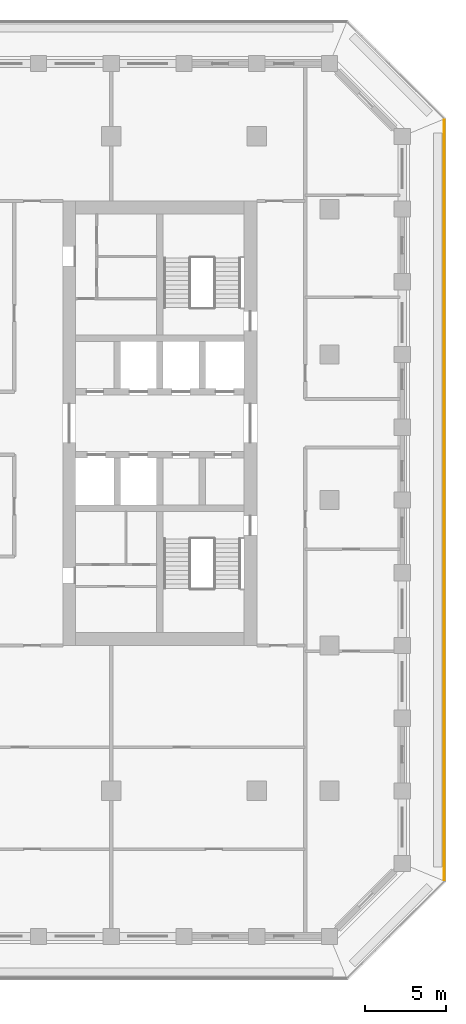
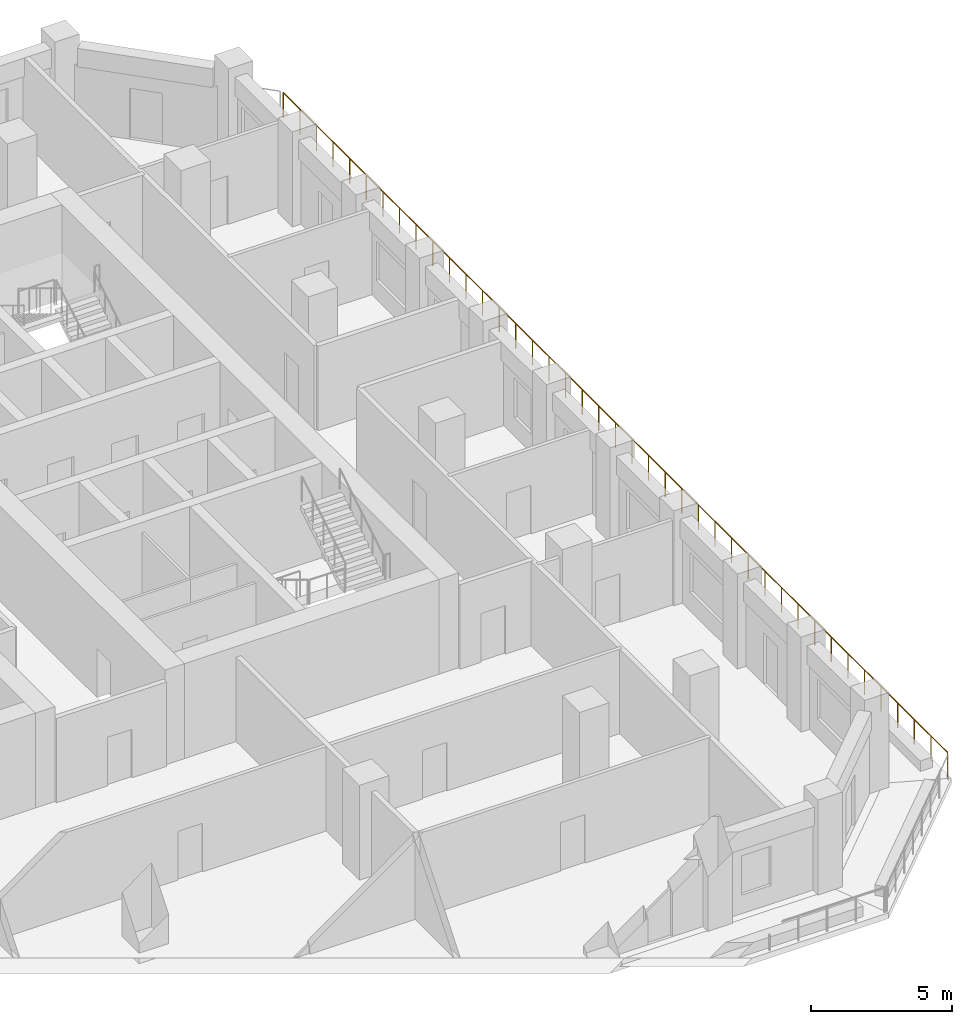
# One storey, part 12 of 16: 1 railing.
"""IFC4 building model written with IfcOpenShell, lengths in metres."""

from ifc_helpers import new_model, si_unit, direction, frame, origin, origin_2d, place, context, subcontext, project, spatial, circle, extrude, material, type_object, element, save


model = new_model("IFC4")

# Units and contexts
model_context = context("Model", 3, precision=1e-05, world=origin(), true_north=direction((0.0, 1.0)))
body_context = subcontext(model_context, "Body", "Model", "MODEL_VIEW")
ifc_project = project(units=[si_unit("LENGTHUNIT", "METRE"), si_unit("AREAUNIT", "SQUARE_METRE"), si_unit("VOLUMEUNIT", "CUBIC_METRE"), si_unit("PLANEANGLEUNIT", "RADIAN"), si_unit("MASSUNIT", "GRAM", prefix="KILO")], contexts=[model_context])

# Site, building, storey
site_placement = place(None, origin())
site = spatial("IfcSite", under=ifc_project, at=site_placement, CompositionType="ELEMENT")
building_placement = place(site_placement, origin())
building = spatial("IfcBuilding", under=site, at=building_placement, Name="Corbel Stack Research Tower", CompositionType="ELEMENT")
storey_placement = place(building_placement, frame((0.0, 0.0, 177.300048828125)))
storey = spatial("IfcBuildingStorey", under=building, at=storey_placement, Name="L40", CompositionType="ELEMENT", Elevation=177.300048828125)

# Railing
ifc_material = material(Name="Powder-coated steel guard", Category="steel")
railing_type = type_object("IfcRailingType", Name="Steel and glass guard 1100", PredefinedType="GUARDRAIL", material=ifc_material)
railing_placement = place(storey_placement, frame((29.60009765625, -23.50537109375, 0.0)))
element("IfcRailing", 1, at=railing_placement, inside=storey, type_object=railing_type, Name="Loggia guard L40 E", PredefinedType="GUARDRAIL", context=body_context, shape_type="SweptSolid", body=[
    extrude(circle(Radius=0.02392578125, at=origin_2d()), frame((0.0, 0.0, 1.076171875), z_axis=(0.0, 1.0, 0.0), x_axis=(-1.0, 0.0, 0.0)), (0.0, 0.0, 1.0), 47.0107421875),
    extrude(circle(Radius=0.02099609375, at=origin_2d()), origin(), (0.0, 0.0, 1.0), 1.052001953125),
    extrude(circle(Radius=0.02099609375, at=origin_2d()), frame((0.0, 1.17529296875, 0.0)), (0.0, 0.0, 1.0), 1.052001953125),
    extrude(circle(Radius=0.02099609375, at=origin_2d()), frame((0.0, 2.3505859375, 0.0)), (0.0, 0.0, 1.0), 1.052001953125),
    extrude(circle(Radius=0.02099609375, at=origin_2d()), frame((0.0, 3.52587890625, 0.0)), (0.0, 0.0, 1.0), 1.052001953125),
    extrude(circle(Radius=0.02099609375, at=origin_2d()), frame((0.0, 4.701171875, 0.0)), (0.0, 0.0, 1.0), 1.052001953125),
    extrude(circle(Radius=0.02099609375, at=origin_2d()), frame((0.0, 5.87646484375, 0.0)), (0.0, 0.0, 1.0), 1.052001953125),
    extrude(circle(Radius=0.02099609375, at=origin_2d()), frame((0.0, 7.051513671875, 0.0)), (0.0, 0.0, 1.0), 1.052001953125),
    extrude(circle(Radius=0.02099609375, at=origin_2d()), frame((0.0, 8.226806640625, 0.0)), (0.0, 0.0, 1.0), 1.052001953125),
    extrude(circle(Radius=0.02099609375, at=origin_2d()), frame((0.0, 9.402099609375, 0.0)), (0.0, 0.0, 1.0), 1.052001953125),
    extrude(circle(Radius=0.02099609375, at=origin_2d()), frame((0.0, 10.577392578125, 0.0)), (0.0, 0.0, 1.0), 1.052001953125),
    extrude(circle(Radius=0.02099609375, at=origin_2d()), frame((0.0, 11.752685546875, 0.0)), (0.0, 0.0, 1.0), 1.052001953125),
    extrude(circle(Radius=0.02099609375, at=origin_2d()), frame((0.0, 12.927978515625, 0.0)), (0.0, 0.0, 1.0), 1.052001953125),
    extrude(circle(Radius=0.02099609375, at=origin_2d()), frame((0.0, 14.103271484375, 0.0)), (0.0, 0.0, 1.0), 1.052001953125),
    extrude(circle(Radius=0.02099609375, at=origin_2d()), frame((0.0, 15.278564453125, 0.0)), (0.0, 0.0, 1.0), 1.052001953125),
    extrude(circle(Radius=0.02099609375, at=origin_2d()), frame((0.0, 16.453857421875, 0.0)), (0.0, 0.0, 1.0), 1.052001953125),
    extrude(circle(Radius=0.02099609375, at=origin_2d()), frame((0.0, 17.62890625, 0.0)), (0.0, 0.0, 1.0), 1.052001953125),
    extrude(circle(Radius=0.02099609375, at=origin_2d()), frame((0.0, 18.80419921875, 0.0)), (0.0, 0.0, 1.0), 1.052001953125),
    extrude(circle(Radius=0.02099609375, at=origin_2d()), frame((0.0, 19.9794921875, 0.0)), (0.0, 0.0, 1.0), 1.052001953125),
    extrude(circle(Radius=0.02099609375, at=origin_2d()), frame((0.0, 21.15478515625, 0.0)), (0.0, 0.0, 1.0), 1.052001953125),
    extrude(circle(Radius=0.02099609375, at=origin_2d()), frame((0.0, 22.330078125, 0.0)), (0.0, 0.0, 1.0), 1.052001953125),
    extrude(circle(Radius=0.02099609375, at=origin_2d()), frame((0.0, 23.50537109375, 0.0)), (0.0, 0.0, 1.0), 1.052001953125),
    extrude(circle(Radius=0.02099609375, at=origin_2d()), frame((0.0, 24.6806640625, 0.0)), (0.0, 0.0, 1.0), 1.052001953125),
    extrude(circle(Radius=0.02099609375, at=origin_2d()), frame((0.0, 25.85595703125, 0.0)), (0.0, 0.0, 1.0), 1.052001953125),
    extrude(circle(Radius=0.02099609375, at=origin_2d()), frame((0.0, 27.03125, 0.0)), (0.0, 0.0, 1.0), 1.052001953125),
    extrude(circle(Radius=0.02099609375, at=origin_2d()), frame((0.0, 28.20654296875, 0.0)), (0.0, 0.0, 1.0), 1.052001953125),
    extrude(circle(Radius=0.02099609375, at=origin_2d()), frame((0.0, 29.3818359375, 0.0)), (0.0, 0.0, 1.0), 1.052001953125),
    extrude(circle(Radius=0.02099609375, at=origin_2d()), frame((0.0, 30.556884765625, 0.0)), (0.0, 0.0, 1.0), 1.052001953125),
    extrude(circle(Radius=0.02099609375, at=origin_2d()), frame((0.0, 31.732177734375, 0.0)), (0.0, 0.0, 1.0), 1.052001953125),
    extrude(circle(Radius=0.02099609375, at=origin_2d()), frame((0.0, 32.907470703125, 0.0)), (0.0, 0.0, 1.0), 1.052001953125),
    extrude(circle(Radius=0.02099609375, at=origin_2d()), frame((0.0, 34.082763671875, 0.0)), (0.0, 0.0, 1.0), 1.052001953125),
    extrude(circle(Radius=0.02099609375, at=origin_2d()), frame((0.0, 35.258056640625, 0.0)), (0.0, 0.0, 1.0), 1.052001953125),
    extrude(circle(Radius=0.02099609375, at=origin_2d()), frame((0.0, 36.433349609375, 0.0)), (0.0, 0.0, 1.0), 1.052001953125),
    extrude(circle(Radius=0.02099609375, at=origin_2d()), frame((0.0, 37.608642578125, 0.0)), (0.0, 0.0, 1.0), 1.052001953125),
    extrude(circle(Radius=0.02099609375, at=origin_2d()), frame((0.0, 38.783935546875, 0.0)), (0.0, 0.0, 1.0), 1.052001953125),
    extrude(circle(Radius=0.02099609375, at=origin_2d()), frame((0.0, 39.959228515625, 0.0)), (0.0, 0.0, 1.0), 1.052001953125),
    extrude(circle(Radius=0.02099609375, at=origin_2d()), frame((0.0, 41.13427734375, 0.0)), (0.0, 0.0, 1.0), 1.052001953125),
    extrude(circle(Radius=0.02099609375, at=origin_2d()), frame((0.0, 42.3095703125, 0.0)), (0.0, 0.0, 1.0), 1.052001953125),
    extrude(circle(Radius=0.02099609375, at=origin_2d()), frame((0.0, 43.48486328125, 0.0)), (0.0, 0.0, 1.0), 1.052001953125),
    extrude(circle(Radius=0.02099609375, at=origin_2d()), frame((0.0, 44.66015625, 0.0)), (0.0, 0.0, 1.0), 1.052001953125),
    extrude(circle(Radius=0.02099609375, at=origin_2d()), frame((0.0, 45.83544921875, 0.0)), (0.0, 0.0, 1.0), 1.052001953125),
    extrude(circle(Radius=0.02099609375, at=origin_2d()), frame((0.0, 47.0107421875, 0.0)), (0.0, 0.0, 1.0), 1.052001953125),
])

save(model, "model.ifc")
